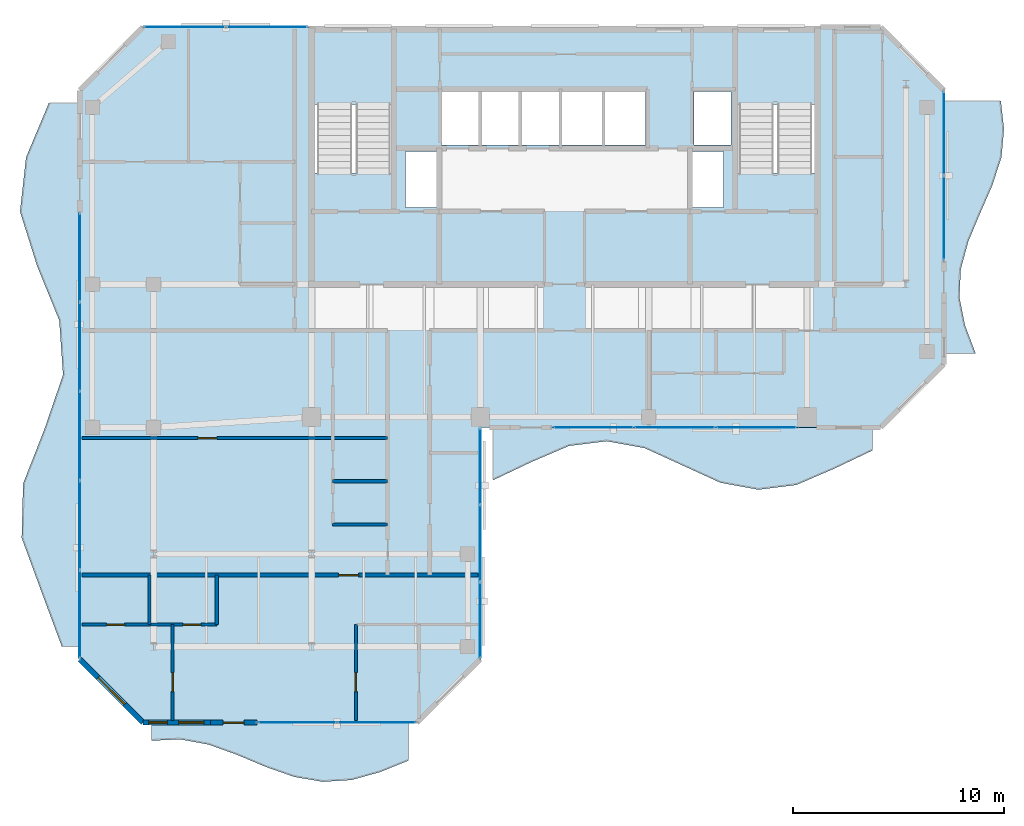
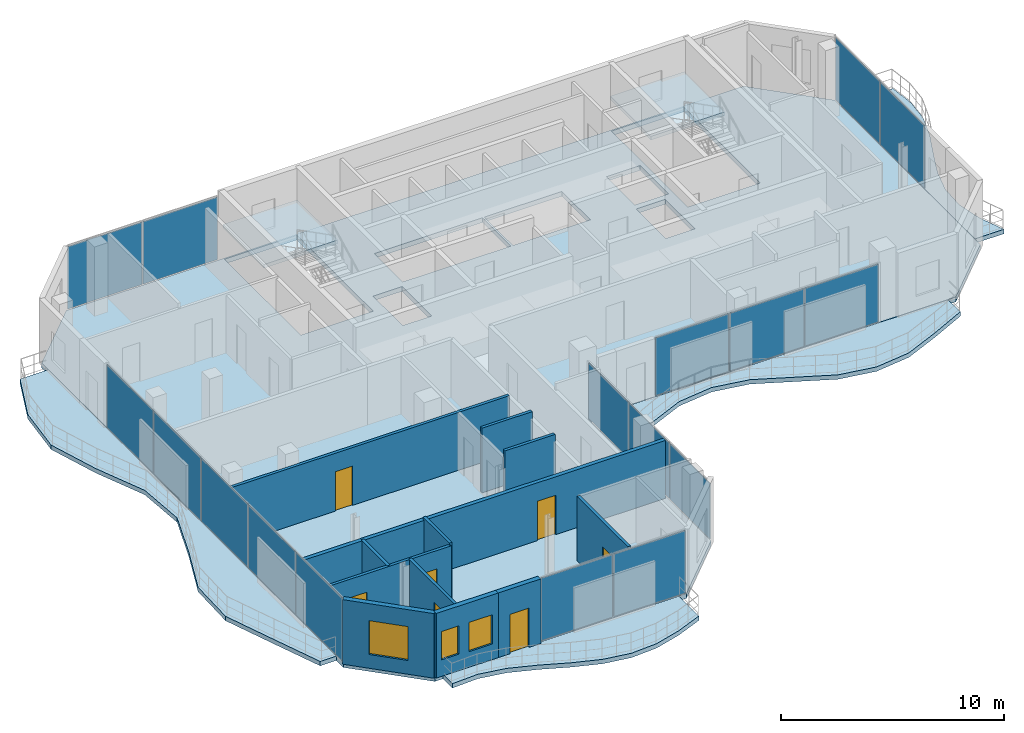
# One storey, part 17 of 23: 17 plates, 12 walls, 7 doors, 7 slabs, 3 windows, 10 openings, 8 elements without a shape of their own.
"""IFC4 building model written with IfcOpenShell, lengths in metres."""

from ifc_helpers import new_model, si_unit, direction, frame, frame_2d, origin, origin_2d, place, context, subcontext, project, spatial, polyline, rectangle, outline, extrude, material, layer, layer_set, type_object, element, fill, aggregate, save


model = new_model("IFC4")

# Units and contexts
model_context = context("Model", 3, precision=1e-05, world=origin(), true_north=direction((0.0, 1.0)))
body_context = subcontext(model_context, "Body", "Model", "MODEL_VIEW")
ifc_project = project(units=[si_unit("LENGTHUNIT", "METRE"), si_unit("AREAUNIT", "SQUARE_METRE"), si_unit("VOLUMEUNIT", "CUBIC_METRE"), si_unit("PLANEANGLEUNIT", "RADIAN"), si_unit("MASSUNIT", "GRAM", prefix="KILO")], contexts=[model_context])

# Site, building, storey
site_placement = place(None, origin())
site = spatial("IfcSite", under=ifc_project, at=site_placement, CompositionType="ELEMENT")
building_placement = place(site_placement, origin())
building = spatial("IfcBuilding", under=site, at=building_placement, Name="Catumbela Crestline Tower", CompositionType="ELEMENT")
storey_placement = place(building_placement, frame((0.0, 0.0, 252.6)))
storey = spatial("IfcBuildingStorey", under=building, at=storey_placement, Name="L65", CompositionType="ELEMENT", Elevation=252.6)

# Curtain wall, plates
ifc_material_1 = material(Name="Aluminium alloy AW-6060-T66", Category="aluminium")
ifc_layer_1 = layer(ifc_material_1, 0.18, Name="Aluminium alloy AW-6060-T66")
ifc_layer_set_1 = layer_set([ifc_layer_1], Name="Aluminium alloy AW-6060-T66")
curtain_wall_type = type_object("IfcCurtainWallType", Name="CWU-Z4", PredefinedType="USERDEFINED", material=ifc_layer_set_1)
curtain_wall_1_placement = place(storey_placement, origin())
curtain_wall_1 = element("IfcCurtainWall", 1, at=curtain_wall_1_placement, inside=storey, type_object=curtain_wall_type, Name="L65 Unitised Curtain Wall CW-L65-E0S2", ObjectType="UNITISED", PredefinedType="USERDEFINED")
ifc_material_2 = material(Name="Low-E laminated solar-control double glazing", Category="glass")
ifc_layer_2 = layer(ifc_material_2, 0.036, Name="Low-E laminated solar-control double glazing")
ifc_layer_set_2 = layer_set([ifc_layer_2], Name="Low-E laminated solar-control double glazing")
plate_type = type_object("IfcPlateType", Name="PNL-GLZ-Z4", PredefinedType="CURTAIN_PANEL", material=ifc_layer_set_2)
plate_1_placement = place(storey_placement, frame((15.3162, 10.0, 0.06), z_axis=(0.0, 0.0, 1.0), x_axis=(1.0, 0.0, 0.0)))
plate_1 = element("IfcPlate", 2, at=plate_1_placement, type_object=plate_type, Name="CWU-Z4 panel 1.1", PredefinedType="CURTAIN_PANEL", context=body_context, shape_type="SweptSolid", body=[
    extrude(rectangle(XDim=3.7025, YDim=0.034, at=origin_2d()), origin(), (0.0, 0.0, 1.0), 3.41),
])
plate_2_placement = place(storey_placement, frame((19.0837, 10.0, 0.06), z_axis=(0.0, 0.0, 1.0), x_axis=(1.0, 0.0, 0.0)))
plate_2 = element("IfcPlate", 3, at=plate_2_placement, type_object=plate_type, Name="CWU-Z4 panel 2.1", PredefinedType="CURTAIN_PANEL", context=body_context, shape_type="SweptSolid", body=[
    extrude(rectangle(XDim=3.7025, YDim=0.034, at=origin_2d()), origin(), (0.0, 0.0, 1.0), 3.41),
])
aggregate(curtain_wall_1, [plate_1, plate_2])

curtain_wall_2_placement = place(storey_placement, origin())
curtain_wall_2 = element("IfcCurtainWall", 4, at=curtain_wall_2_placement, inside=storey, type_object=curtain_wall_type, Name="L65 Unitised Curtain Wall CW-L65-E2S1", ObjectType="UNITISED", PredefinedType="USERDEFINED")
plate_3_placement = place(storey_placement, frame((24.0, 14.8496, 0.06), z_axis=(0.0, 0.0, 1.0), x_axis=(0.0, 1.0, 0.0)))
plate_3 = element("IfcPlate", 5, at=plate_3_placement, type_object=plate_type, Name="CWU-Z4 panel 1.1", PredefinedType="CURTAIN_PANEL", context=body_context, shape_type="SweptSolid", body=[
    extrude(rectangle(XDim=3.5692, YDim=0.034, at=origin_2d()), origin(), (0.0, 0.0, 1.0), 3.04),
])
plate_4_placement = place(storey_placement, frame((24.0, 18.5, 0.06), z_axis=(0.0, 0.0, 1.0), x_axis=(0.0, 1.0, 0.0)))
plate_4 = element("IfcPlate", 6, at=plate_4_placement, type_object=plate_type, Name="CWU-Z4 panel 2.1", PredefinedType="CURTAIN_PANEL", context=body_context, shape_type="SweptSolid", body=[
    extrude(rectangle(XDim=3.6017, YDim=0.034, at=origin_2d()), origin(), (0.0, 0.0, 1.0), 3.04),
])
plate_5_placement = place(storey_placement, frame((24.0, 22.1504, 0.06), z_axis=(0.0, 0.0, 1.0), x_axis=(0.0, 1.0, 0.0)))
plate_5 = element("IfcPlate", 7, at=plate_5_placement, type_object=plate_type, Name="CWU-Z4 panel 3.1", PredefinedType="CURTAIN_PANEL", context=body_context, shape_type="SweptSolid", body=[
    extrude(rectangle(XDim=3.5692, YDim=0.034, at=origin_2d()), origin(), (0.0, 0.0, 1.0), 3.04),
])
aggregate(curtain_wall_2, [plate_3, plate_4, plate_5])

curtain_wall_3_placement = place(storey_placement, origin())
curtain_wall_3 = element("IfcCurtainWall", 8, at=curtain_wall_3_placement, inside=storey, type_object=curtain_wall_type, Name="L65 Unitised Curtain Wall CW-L65-E3S2", ObjectType="UNITISED", PredefinedType="USERDEFINED")
plate_6_placement = place(storey_placement, frame((29.3579, 24.0, 0.06), z_axis=(0.0, 0.0, 1.0), x_axis=(1.0, 0.0, 0.0)))
plate_6 = element("IfcPlate", 9, at=plate_6_placement, type_object=plate_type, Name="CWU-Z4 panel 1.1", PredefinedType="CURTAIN_PANEL", context=body_context, shape_type="SweptSolid", body=[
    extrude(rectangle(XDim=3.7858, YDim=0.034, at=origin_2d()), origin(), (0.0, 0.0, 1.0), 3.15),
])
plate_7_placement = place(storey_placement, frame((33.225, 24.0, 0.06), z_axis=(0.0, 0.0, 1.0), x_axis=(1.0, 0.0, 0.0)))
plate_7 = element("IfcPlate", 10, at=plate_7_placement, type_object=plate_type, Name="CWU-Z4 panel 2.1", PredefinedType="CURTAIN_PANEL", context=body_context, shape_type="SweptSolid", body=[
    extrude(rectangle(XDim=3.8183, YDim=0.034, at=origin_2d()), origin(), (0.0, 0.0, 1.0), 3.15),
])
plate_8_placement = place(storey_placement, frame((37.0921, 24.0, 0.06), z_axis=(0.0, 0.0, 1.0), x_axis=(1.0, 0.0, 0.0)))
plate_8 = element("IfcPlate", 11, at=plate_8_placement, type_object=plate_type, Name="CWU-Z4 panel 3.1", PredefinedType="CURTAIN_PANEL", context=body_context, shape_type="SweptSolid", body=[
    extrude(rectangle(XDim=3.7858, YDim=0.034, at=origin_2d()), origin(), (0.0, 0.0, 1.0), 3.15),
])
aggregate(curtain_wall_3, [plate_6, plate_7, plate_8])

curtain_wall_4_placement = place(storey_placement, origin())
curtain_wall_4 = element("IfcCurtainWall", 12, at=curtain_wall_4_placement, inside=storey, type_object=curtain_wall_type, Name="L65 Unitised Curtain Wall CW-L65-E5S2", ObjectType="UNITISED", PredefinedType="USERDEFINED")
plate_9_placement = place(storey_placement, frame((46.0, 33.9412, 0.06), z_axis=(0.0, 0.0, 1.0), x_axis=(0.0, 1.0, 0.0)))
plate_9 = element("IfcPlate", 13, at=plate_9_placement, type_object=plate_type, Name="CWU-Z4 panel 1.1", PredefinedType="CURTAIN_PANEL", context=body_context, shape_type="SweptSolid", body=[
    extrude(rectangle(XDim=3.9525, YDim=0.034, at=origin_2d()), origin(), (0.0, 0.0, 1.0), 3.41),
])
plate_10_placement = place(storey_placement, frame((46.0, 37.9588, 0.06), z_axis=(0.0, 0.0, 1.0), x_axis=(0.0, 1.0, 0.0)))
plate_10 = element("IfcPlate", 14, at=plate_10_placement, type_object=plate_type, Name="CWU-Z4 panel 2.1", PredefinedType="CURTAIN_PANEL", context=body_context, shape_type="SweptSolid", body=[
    extrude(rectangle(XDim=3.9525, YDim=0.034, at=origin_2d()), origin(), (0.0, 0.0, 1.0), 3.41),
])
aggregate(curtain_wall_4, [plate_9, plate_10])

curtain_wall_5_placement = place(storey_placement, origin())
curtain_wall_5 = element("IfcCurtainWall", 15, at=curtain_wall_5_placement, inside=storey, type_object=curtain_wall_type, Name="L65 Unitised Curtain Wall CW-L65-E7S2", ObjectType="UNITISED", PredefinedType="USERDEFINED")
plate_11_placement = place(storey_placement, frame((13.8788, 43.0, 0.06), z_axis=(0.0, 0.0, 1.0), x_axis=(-1.0, 0.0, 0.0)))
plate_11 = element("IfcPlate", 16, at=plate_11_placement, type_object=plate_type, Name="CWU-Z4 panel 1.1", PredefinedType="CURTAIN_PANEL", context=body_context, shape_type="SweptSolid", body=[
    extrude(rectangle(XDim=3.8325, YDim=0.034, at=origin_2d()), origin(), (0.0, 0.0, 1.0), 3.41),
])
plate_12_placement = place(storey_placement, frame((9.9812, 43.0, 0.06), z_axis=(0.0, 0.0, 1.0), x_axis=(-1.0, 0.0, 0.0)))
plate_12 = element("IfcPlate", 17, at=plate_12_placement, type_object=plate_type, Name="CWU-Z4 panel 2.1", PredefinedType="CURTAIN_PANEL", context=body_context, shape_type="SweptSolid", body=[
    extrude(rectangle(XDim=3.8325, YDim=0.034, at=origin_2d()), origin(), (0.0, 0.0, 1.0), 3.41),
])
aggregate(curtain_wall_5, [plate_11, plate_12])

curtain_wall_6_placement = place(storey_placement, origin())
curtain_wall_6 = element("IfcCurtainWall", 18, at=curtain_wall_6_placement, inside=storey, type_object=curtain_wall_type, Name="L65 Unitised Curtain Wall CW-L65-E9S2", ObjectType="UNITISED", PredefinedType="USERDEFINED")
plate_13_placement = place(storey_placement, frame((5.0, 32.0638, 0.06), z_axis=(0.0, 0.0, 1.0), x_axis=(0.0, -1.0, 0.0)))
plate_13 = element("IfcPlate", 19, at=plate_13_placement, type_object=plate_type, Name="CWU-Z4 panel 1.1", PredefinedType="CURTAIN_PANEL", context=body_context, shape_type="SweptSolid", body=[
    extrude(rectangle(XDim=4.1425, YDim=0.034, at=origin_2d()), origin(), (0.0, 0.0, 1.0), 3.41),
])
plate_14_placement = place(storey_placement, frame((5.0, 27.84, 0.06), z_axis=(0.0, 0.0, 1.0), x_axis=(0.0, -1.0, 0.0)))
plate_14 = element("IfcPlate", 20, at=plate_14_placement, type_object=plate_type, Name="CWU-Z4 panel 2.1", PredefinedType="CURTAIN_PANEL", context=body_context, shape_type="SweptSolid", body=[
    extrude(rectangle(XDim=4.175, YDim=0.034, at=origin_2d()), origin(), (0.0, 0.0, 1.0), 3.41),
])
plate_15_placement = place(storey_placement, frame((5.0, 23.6, 0.06), z_axis=(0.0, 0.0, 1.0), x_axis=(0.0, -1.0, 0.0)))
plate_15 = element("IfcPlate", 21, at=plate_15_placement, type_object=plate_type, Name="CWU-Z4 panel 3.1", PredefinedType="CURTAIN_PANEL", context=body_context, shape_type="SweptSolid", body=[
    extrude(rectangle(XDim=4.175, YDim=0.034, at=origin_2d()), origin(), (0.0, 0.0, 1.0), 3.41),
])
plate_16_placement = place(storey_placement, frame((5.0, 19.36, 0.06), z_axis=(0.0, 0.0, 1.0), x_axis=(0.0, -1.0, 0.0)))
plate_16 = element("IfcPlate", 22, at=plate_16_placement, type_object=plate_type, Name="CWU-Z4 panel 4.1", PredefinedType="CURTAIN_PANEL", context=body_context, shape_type="SweptSolid", body=[
    extrude(rectangle(XDim=4.175, YDim=0.034, at=origin_2d()), origin(), (0.0, 0.0, 1.0), 3.41),
])
plate_17_placement = place(storey_placement, frame((5.0, 15.1362, 0.06), z_axis=(0.0, 0.0, 1.0), x_axis=(0.0, -1.0, 0.0)))
plate_17 = element("IfcPlate", 23, at=plate_17_placement, type_object=plate_type, Name="CWU-Z4 panel 5.1", PredefinedType="CURTAIN_PANEL", context=body_context, shape_type="SweptSolid", body=[
    extrude(rectangle(XDim=4.1425, YDim=0.034, at=origin_2d()), origin(), (0.0, 0.0, 1.0), 3.41),
])
aggregate(curtain_wall_6, [plate_13, plate_14, plate_15, plate_16, plate_17])

# Stair, slab
ifc_material_3 = material(Name="Concrete C45/55", Category="concrete")
stair_type = type_object("IfcStairType", Name="ST-DLG", PredefinedType="HALF_TURN_STAIR", material=ifc_material_3)
stair_1_placement = place(storey_placement, origin())
stair_1 = element("IfcStair", 24, at=stair_1_placement, inside=storey, type_object=stair_type, Name="L65 West Core Pressurised Exit Stair ST-01", PredefinedType="HALF_TURN_STAIR")
ifc_layer_3 = layer(ifc_material_3, 0.2, Name="Concrete C45/55")
ifc_layer_set_3 = layer_set([ifc_layer_3], Name="Concrete C45/55")
slab_type_1 = type_object("IfcSlabType", Name="SL-LND", PredefinedType="LANDING", material=ifc_layer_set_3)
slab_1_placement = place(storey_placement, frame((0.0, 0.0, 1.7)))
slab_1 = element("IfcSlab", 25, at=slab_1_placement, type_object=slab_type_1, Name="ST-01 landing 1", PredefinedType="LANDING", context=body_context, shape_type="SweptSolid", body=[
    extrude(outline(polyline([(19.91, 39.33), (19.91, 42.96), (16.09, 42.96), (16.09, 39.33), (19.91, 39.33)])), origin(), (0.0, 0.0, 1.0), 0.2),
])
aggregate(stair_1, [slab_1])

stair_2_placement = place(storey_placement, origin())
stair_2 = element("IfcStair", 26, at=stair_2_placement, inside=storey, type_object=stair_type, Name="L65 East Core Pressurised Exit Stair ST-02", PredefinedType="HALF_TURN_STAIR")
slab_2_placement = place(storey_placement, frame((0.0, 0.0, 1.7)))
slab_2 = element("IfcSlab", 27, at=slab_2_placement, type_object=slab_type_1, Name="ST-02 landing 1", PredefinedType="LANDING", context=body_context, shape_type="SweptSolid", body=[
    extrude(outline(polyline([(39.91, 39.33), (39.91, 42.96), (36.09, 42.96), (36.09, 39.33), (39.91, 39.33)])), origin(), (0.0, 0.0, 1.0), 0.2),
])
aggregate(stair_2, [slab_2])

# Slabs
ifc_layer_4 = layer(ifc_material_3, 0.26, Name="Concrete C45/55")
ifc_layer_set_4 = layer_set([ifc_layer_4], Name="Concrete C45/55")
slab_type_2 = type_object("IfcSlabType", Name="SL-260", PredefinedType="FLOOR", material=ifc_layer_set_4)
slab_3_placement = place(storey_placement, frame((0.0, 0.0, -0.26)))
element("IfcSlab", 28, at=slab_3_placement, inside=storey, type_object=slab_type_2, Name="L65 Structural Floor Slab", PredefinedType="FLOOR", context=body_context, shape_type="SweptSolid", body=[
    extrude(outline(polyline([(8.0, 10.0), (21.0, 10.0), (24.0, 13.0), (24.0, 24.0), (43.0, 24.0), (46.0, 27.0), (46.0, 40.0), (43.0, 43.0), (8.0, 43.0), (5.0, 40.0), (5.0, 13.0), (8.0, 10.0)]), holes=[polyline([(16.13, 36.08), (19.87, 36.08), (19.87, 42.92), (16.13, 42.92), (16.13, 36.08)]), polyline([(36.13, 36.08), (39.87, 36.08), (39.87, 42.92), (36.13, 42.92), (36.13, 36.08)]), polyline([(22.15, 37.4), (27.75, 37.4), (27.75, 39.95), (22.15, 39.95), (22.15, 37.4)]), polyline([(27.85, 37.4), (31.85, 37.4), (31.85, 39.95), (27.85, 39.95), (27.85, 37.4)]), polyline([(20.45, 34.45), (21.95, 34.45), (21.95, 37.1), (20.45, 37.1), (20.45, 34.45)]), polyline([(34.05, 34.45), (35.55, 34.45), (35.55, 37.1), (34.05, 37.1), (34.05, 34.45)]), polyline([(34.15, 37.4), (35.9, 37.4), (35.9, 39.95), (34.15, 39.95), (34.15, 37.4)])]), origin(), (0.0, 0.0, 1.0), 0.26),
])
ifc_layer_5 = layer(ifc_material_3, 0.24, Name="Concrete C45/55")
ifc_layer_set_5 = layer_set([ifc_layer_5], Name="Concrete C45/55")
slab_type_3 = type_object("IfcSlabType", Name="SB-240W", PredefinedType="USERDEFINED", material=ifc_layer_set_5)
slab_4_placement = place(storey_placement, frame((0.0, 0.0, -0.24)))
element("IfcSlab", 29, at=slab_4_placement, inside=storey, type_object=slab_type_3, Name="L65 Cantilevered Wave Balcony Slab SPINE-S", ObjectType="BALCONY", PredefinedType="USERDEFINED", context=body_context, shape_type="SweptSolid", body=[
    extrude(outline(polyline([(24.6, 21.4947), (26.4, 22.3504), (28.2, 23.1246), (30.0, 23.35), (31.8, 23.0215), (33.6, 22.2), (35.4, 21.3785), (37.2, 21.05), (39.0, 21.2754), (40.8, 22.0496), (42.6, 22.9053), (42.6, 23.99), (24.6, 23.99), (24.6, 21.4947)])), origin(), (0.0, 0.0, 1.0), 0.24),
])
slab_5_placement = place(storey_placement, frame((0.0, 0.0, -0.24)))
element("IfcSlab", 30, at=slab_5_placement, inside=storey, type_object=slab_type_3, Name="L65 Cantilevered Wave Balcony Slab SPINE-E", ObjectType="BALCONY", PredefinedType="USERDEFINED", context=body_context, shape_type="SweptSolid", body=[
    extrude(outline(polyline([(46.01, 27.5), (47.5102, 27.5), (47.0029, 28.8333), (46.7379, 30.1667), (46.7956, 31.5), (47.1586, 32.8333), (47.7165, 34.1667), (48.2998, 35.5), (48.7312, 36.8333), (48.85, 38.1667), (48.6999, 39.5), (46.01, 39.5), (46.01, 27.5)])), origin(), (0.0, 0.0, 1.0), 0.24),
])
slab_6_placement = place(storey_placement, frame((0.0, 0.0, -0.24)))
element("IfcSlab", 31, at=slab_6_placement, inside=storey, type_object=slab_type_3, Name="L65 Cantilevered Wave Balcony Slab WING-S", ObjectType="BALCONY", PredefinedType="USERDEFINED", context=body_context, shape_type="SweptSolid", body=[
    extrude(outline(polyline([(8.4, 9.1398), (9.7556, 9.2055), (11.1111, 8.9556), (12.4667, 8.4686), (13.8222, 7.8973), (15.1778, 7.4209), (16.5333, 7.1891), (17.8889, 7.2746), (19.2444, 7.6504), (20.6, 8.1988), (20.6, 9.99), (8.4, 9.99), (8.4, 9.1398)])), origin(), (0.0, 0.0, 1.0), 0.24),
])
slab_7_placement = place(storey_placement, frame((0.0, 0.0, -0.24)))
element("IfcSlab", 32, at=slab_7_placement, inside=storey, type_object=slab_type_3, Name="L65 Cantilevered Wave Balcony Slab WEST", ObjectType="BALCONY", PredefinedType="USERDEFINED", context=body_context, shape_type="SweptSolid", body=[
    extrude(outline(polyline([(4.99, 39.4), (3.5319, 39.4), (2.4495, 36.82), (2.1615, 34.24), (2.9729, 31.66), (4.0247, 29.08), (4.2035, 26.5), (3.32, 23.92), (2.3095, 21.34), (2.2417, 18.76), (3.1883, 16.18), (4.1473, 13.6), (4.99, 13.6), (4.99, 39.4)])), origin(), (0.0, 0.0, 1.0), 0.24),
])

# Wall, opening, door
ifc_material_4 = material(Name="Angolan grey-ochre granite", Category="masonry")
ifc_layer_6 = layer(ifc_material_4, 0.25, Name="Angolan grey-ochre granite")
ifc_layer_set_6 = layer_set([ifc_layer_6], Name="Angolan grey-ochre granite")
wall_type_1 = type_object("IfcWallType", Name="WE-250", PredefinedType="STANDARD", material=ifc_layer_set_6)
wall_1_placement = place(storey_placement, frame((11.2, 10.0, 0.0), z_axis=(0.0, 0.0, 1.0), x_axis=(1.0, 0.0, 0.0)))
wall_1 = element("IfcWall", 33, at=wall_1_placement, inside=storey, type_object=wall_type_1, Name="L65 Exterior Threshold Portal Wall DR-L65-WBAL-3", PredefinedType="STANDARD", context=body_context, shape_type="SweptSolid", body=[
    extrude(rectangle(XDim=2.2, YDim=0.25, at=frame_2d((1.1, 0.0))), origin(), (0.0, 0.0, 1.0), 3.53),
])
opening_1_placement = place(wall_1_placement, frame((0.6, 0.0, 0.0)))
opening_1 = element("IfcOpeningElement", 34, at=opening_1_placement, cuts=wall_1, Name="Opening DB-L65-3", PredefinedType="OPENING", context=body_context, shape_type="SweptSolid", body=[
    extrude(rectangle(XDim=1.0, YDim=2.15, at=frame_2d((0.5, 1.075))), frame((0.0, 0.135, 0.0), z_axis=(0.0, -1.0, 0.0), x_axis=(1.0, 0.0, 0.0)), (0.0, 0.0, 1.0), 0.27),
])
door_type_1 = type_object("IfcDoorType", Name="DB-1000", OperationType="NOTDEFINED", PredefinedType="DOOR", material=ifc_material_1)
door_1_placement = place(opening_1_placement, origin())
door_1 = element("IfcDoor", 35, at=door_1_placement, inside=storey, type_object=door_type_1, Name="L65 Wave Balcony Terrace Door 3", OperationType="SINGLE_SWING_LEFT", OverallHeight=2.15, OverallWidth=1.0, PredefinedType="DOOR", context=body_context, shape_type="SweptSolid", body=[
    extrude(rectangle(XDim=1.0, YDim=2.15, at=frame_2d((0.5, 1.075))), frame((0.0, 0.025, 0.0), z_axis=(0.0, -1.0, 0.0), x_axis=(1.0, 0.0, 0.0)), (0.0, 0.0, 1.0), 0.05),
])
fill(opening_1, door_1)

# Wall, openings, windows
wall_2_placement = place(storey_placement, frame((8.0, 10.0, 0.0), z_axis=(0.0, 0.0, 1.0), x_axis=(1.0, 0.0, 0.0)))
wall_2 = element("IfcWall", 36, at=wall_2_placement, inside=storey, type_object=wall_type_1, Name="L65 Granite Punched Window Wall 0-1", PredefinedType="STANDARD", context=body_context, shape_type="SweptSolid", body=[
    extrude(rectangle(XDim=3.2, YDim=0.25, at=frame_2d((1.6, 0.0))), origin(), (0.0, 0.0, 1.0), 3.53),
])
opening_2_placement = place(wall_2_placement, frame((0.26, 0.0, 0.9)))
opening_2 = element("IfcOpeningElement", 37, at=opening_2_placement, cuts=wall_2, Name="Opening WN-03", PredefinedType="OPENING", context=body_context, shape_type="SweptSolid", body=[
    extrude(rectangle(XDim=0.9, YDim=1.55, at=frame_2d((0.45, 0.775))), frame((0.0, 0.135, 0.0), z_axis=(0.0, -1.0, 0.0), x_axis=(1.0, 0.0, 0.0)), (0.0, 0.0, 1.0), 0.27),
])
opening_3_placement = place(wall_2_placement, frame((1.69, 0.0, 0.85)))
opening_3 = element("IfcOpeningElement", 38, at=opening_3_placement, cuts=wall_2, Name="Opening WN-02", PredefinedType="OPENING", context=body_context, shape_type="SweptSolid", body=[
    extrude(rectangle(XDim=1.2, YDim=1.6, at=frame_2d((0.6, 0.8))), frame((0.0, 0.135, 0.0), z_axis=(0.0, -1.0, 0.0), x_axis=(1.0, 0.0, 0.0)), (0.0, 0.0, 1.0), 0.27),
])
window_type_1 = type_object("IfcWindowType", Name="WO-0900", PartitioningType="SINGLE_PANEL", PredefinedType="WINDOW", material=ifc_material_2)
window_1_placement = place(opening_2_placement, origin())
window_1 = element("IfcWindow", 39, at=window_1_placement, inside=storey, type_object=window_type_1, Name="L65 Facade Vision Window 493", OverallHeight=1.55, OverallWidth=0.9, PartitioningType="SINGLE_PANEL", PredefinedType="WINDOW", context=body_context, shape_type="SweptSolid", body=[
    extrude(rectangle(XDim=0.9, YDim=1.55, at=frame_2d((0.45, 0.775))), frame((0.0, 0.03, 0.0), z_axis=(0.0, -1.0, 0.0), x_axis=(1.0, 0.0, 0.0)), (0.0, 0.0, 1.0), 0.06),
])
fill(opening_2, window_1)
window_type_2 = type_object("IfcWindowType", Name="WO-1200", PartitioningType="SINGLE_PANEL", PredefinedType="WINDOW", material=ifc_material_2)
window_2_placement = place(opening_3_placement, origin())
window_2 = element("IfcWindow", 40, at=window_2_placement, inside=storey, type_object=window_type_2, Name="L65 Facade Vision Window 494", OverallHeight=1.6, OverallWidth=1.2, PartitioningType="SINGLE_PANEL", PredefinedType="WINDOW", context=body_context, shape_type="SweptSolid", body=[
    extrude(rectangle(XDim=1.2, YDim=1.6, at=frame_2d((0.6, 0.8))), frame((0.0, 0.03, 0.0), z_axis=(0.0, -1.0, 0.0), x_axis=(1.0, 0.0, 0.0)), (0.0, 0.0, 1.0), 0.06),
])
fill(opening_3, window_2)

# Wall, opening, window
wall_3_placement = place(storey_placement, frame((5.0, 13.0, 0.0), z_axis=(0.0, 0.0, 1.0), x_axis=(0.707106781187, -0.707106781187, 0.0)))
wall_3 = element("IfcWall", 41, at=wall_3_placement, inside=storey, type_object=wall_type_1, Name="L65 Granite Punched Window Wall 10-1", PredefinedType="STANDARD", context=body_context, shape_type="SweptSolid", body=[
    extrude(rectangle(XDim=4.2426, YDim=0.25, at=frame_2d((2.1213, 0.0))), origin(), (0.0, 0.0, 1.0), 3.53),
])
opening_4_placement = place(wall_3_placement, frame((1.2213, 0.0, 0.75)))
opening_4 = element("IfcOpeningElement", 42, at=opening_4_placement, cuts=wall_3, Name="Opening WN-01", PredefinedType="OPENING", context=body_context, shape_type="SweptSolid", body=[
    extrude(rectangle(XDim=1.8, YDim=1.85, at=frame_2d((0.9, 0.925))), frame((0.0, 0.135, 0.0), z_axis=(0.0, -1.0, 0.0), x_axis=(1.0, 0.0, 0.0)), (0.0, 0.0, 1.0), 0.27),
])
window_type_3 = type_object("IfcWindowType", Name="WF-1800", PartitioningType="SINGLE_PANEL", PredefinedType="WINDOW", material=ifc_material_2)
window_3_placement = place(opening_4_placement, origin())
window_3 = element("IfcWindow", 43, at=window_3_placement, inside=storey, type_object=window_type_3, Name="L65 Facade Vision Window 503", OverallHeight=1.85, OverallWidth=1.8, PartitioningType="SINGLE_PANEL", PredefinedType="WINDOW", context=body_context, shape_type="SweptSolid", body=[
    extrude(rectangle(XDim=1.8, YDim=1.85, at=frame_2d((0.9, 0.925))), frame((0.0, 0.03, 0.0), z_axis=(0.0, -1.0, 0.0), x_axis=(1.0, 0.0, 0.0)), (0.0, 0.0, 1.0), 0.06),
])
fill(opening_4, window_3)

# Walls
ifc_material_5 = material(Name="Acoustic gypsum and mineral-wool partition")
ifc_layer_7 = layer(ifc_material_5, 0.15, Name="Acoustic gypsum and mineral-wool partition")
ifc_layer_set_7 = layer_set([ifc_layer_7], Name="Acoustic gypsum and mineral-wool partition")
wall_type_2 = type_object("IfcWallType", Name="WP-150", PredefinedType="PARTITIONING", material=ifc_layer_set_7)
for number, where, z_axis, x_axis, name in (
    (44, (17.0, 19.396, 0.0), (0.0, 0.0, 1.0), (1.0, 0.0, 0.0), "L65 Interior Partition PW-L65-WL1-KBS"),
    (45, (17.0, 21.446, 0.0), (0.0, 0.0, 1.0), (1.0, 0.0, 0.0), "L65 Interior Partition PW-L65-WL1-KBM"),
):
    element("IfcWall", number, at=place(storey_placement, frame(where, z_axis=z_axis, x_axis=x_axis)), inside=storey, type_object=wall_type_2, Name=name, PredefinedType="PARTITIONING", context=body_context, shape_type="SweptSolid", body=[
        extrude(rectangle(XDim=2.6, YDim=0.15, at=frame_2d((1.3, 0.0))), origin(), (0.0, 0.0, 1.0), 3.53),
    ])

# Wall, opening, door
wall_4_placement = place(storey_placement, frame((5.1, 23.496, 0.0), z_axis=(0.0, 0.0, 1.0), x_axis=(1.0, 0.0, 0.0)))
wall_4 = element("IfcWall", 46, at=wall_4_placement, inside=storey, type_object=wall_type_2, Name="L65 Interior Partition PW-L65-WL1-KBN", PredefinedType="PARTITIONING", context=body_context, shape_type="SweptSolid", body=[
    extrude(rectangle(XDim=14.5, YDim=0.15, at=frame_2d((7.25, 0.0))), origin(), (0.0, 0.0, 1.0), 3.16),
])
opening_5_placement = place(wall_4_placement, frame((5.5, 0.0, 0.0)))
opening_5 = element("IfcOpeningElement", 47, at=opening_5_placement, cuts=wall_4, Name="Opening DI-090", PredefinedType="OPENING", context=body_context, shape_type="SweptSolid", body=[
    extrude(rectangle(XDim=0.9, YDim=2.15, at=frame_2d((0.45, 1.075))), frame((0.0, 0.085, 0.0), z_axis=(0.0, -1.0, 0.0), x_axis=(1.0, 0.0, 0.0)), (0.0, 0.0, 1.0), 0.17),
])
door_type_2 = type_object("IfcDoorType", Name="DI-090", OperationType="NOTDEFINED", PredefinedType="DOOR", material=ifc_material_1)
door_2_placement = place(opening_5_placement, origin())
door_2 = element("IfcDoor", 48, at=door_2_placement, inside=storey, type_object=door_type_2, Name="L65 Interior Door DR-L65-WL1-BD1", OperationType="SINGLE_SWING_LEFT", OverallHeight=2.15, OverallWidth=0.9, PredefinedType="DOOR", context=body_context, shape_type="SweptSolid", body=[
    extrude(rectangle(XDim=0.9, YDim=2.15, at=frame_2d((0.45, 1.075))), frame((0.0, 0.025, 0.0), z_axis=(0.0, -1.0, 0.0), x_axis=(1.0, 0.0, 0.0)), (0.0, 0.0, 1.0), 0.05),
])
fill(opening_5, door_2)

# Walls
wall_5_placement = place(storey_placement, frame((11.5, 14.65, 0.0), z_axis=(0.0, 0.0, 1.0), x_axis=(0.0, 1.0, 0.0)))
element("IfcWall", 49, at=wall_5_placement, inside=storey, type_object=wall_type_2, Name="L65 Interior Partition PW-L65-SH1-KBE", PredefinedType="PARTITIONING", context=body_context, shape_type="SweptSolid", body=[
    extrude(rectangle(XDim=2.35, YDim=0.15, at=frame_2d((1.175, 0.0))), origin(), (0.0, 0.0, 1.0), 3.28),
])
wall_6_placement = place(storey_placement, frame((8.3, 14.65, 0.0), z_axis=(0.0, 0.0, 1.0), x_axis=(0.0, 1.0, 0.0)))
element("IfcWall", 50, at=wall_6_placement, inside=storey, type_object=wall_type_2, Name="L65 Interior Partition PW-L65-SH1-KBM", PredefinedType="PARTITIONING", context=body_context, shape_type="SweptSolid", body=[
    extrude(rectangle(XDim=2.35, YDim=0.15, at=frame_2d((1.175, 0.0))), origin(), (0.0, 0.0, 1.0), 3.16),
])

# Wall, openings, doors
wall_7_placement = place(storey_placement, frame((5.1, 14.65, 0.0), z_axis=(0.0, 0.0, 1.0), x_axis=(1.0, 0.0, 0.0)))
wall_7 = element("IfcWall", 51, at=wall_7_placement, inside=storey, type_object=wall_type_2, Name="L65 Interior Partition PW-L65-SH1-KBD1", PredefinedType="PARTITIONING", context=body_context, shape_type="SweptSolid", body=[
    extrude(rectangle(XDim=6.4, YDim=0.15, at=frame_2d((3.2, 0.0))), origin(), (0.0, 0.0, 1.0), 3.16),
])
opening_6_placement = place(wall_7_placement, frame((1.175, 0.0, 0.0)))
opening_6 = element("IfcOpeningElement", 52, at=opening_6_placement, cuts=wall_7, Name="Opening DI-085", PredefinedType="OPENING", context=body_context, shape_type="SweptSolid", body=[
    extrude(rectangle(XDim=0.85, YDim=2.15, at=frame_2d((0.425, 1.075))), frame((0.0, 0.085, 0.0), z_axis=(0.0, -1.0, 0.0), x_axis=(1.0, 0.0, 0.0)), (0.0, 0.0, 1.0), 0.17),
])
opening_7_placement = place(wall_7_placement, frame((4.7968, 0.0, 0.0)))
opening_7 = element("IfcOpeningElement", 53, at=opening_7_placement, cuts=wall_7, Name="Opening DI-085", PredefinedType="OPENING", context=body_context, shape_type="SweptSolid", body=[
    extrude(rectangle(XDim=0.85, YDim=2.15, at=frame_2d((0.425, 1.075))), frame((0.0, 0.085, 0.0), z_axis=(0.0, -1.0, 0.0), x_axis=(1.0, 0.0, 0.0)), (0.0, 0.0, 1.0), 0.17),
])
door_type_3 = type_object("IfcDoorType", Name="DI-085", OperationType="NOTDEFINED", PredefinedType="DOOR", material=ifc_material_1)
door_3_placement = place(opening_6_placement, origin())
door_3 = element("IfcDoor", 54, at=door_3_placement, inside=storey, type_object=door_type_3, Name="L65 Interior Door DR-L65-SH1-KIT", OperationType="SINGLE_SWING_LEFT", OverallHeight=2.15, OverallWidth=0.85, PredefinedType="DOOR", context=body_context, shape_type="SweptSolid", body=[
    extrude(rectangle(XDim=0.85, YDim=2.15, at=frame_2d((0.425, 1.075))), frame((0.0, 0.025, 0.0), z_axis=(0.0, -1.0, 0.0), x_axis=(1.0, 0.0, 0.0)), (0.0, 0.0, 1.0), 0.05),
])
fill(opening_6, door_3)
door_4_placement = place(opening_7_placement, origin())
door_4 = element("IfcDoor", 55, at=door_4_placement, inside=storey, type_object=door_type_3, Name="L65 Interior Door DR-L65-SH1-BTH", OperationType="SINGLE_SWING_RIGHT", OverallHeight=2.15, OverallWidth=0.85, PredefinedType="DOOR", context=body_context, shape_type="SweptSolid", body=[
    extrude(rectangle(XDim=0.85, YDim=2.15, at=frame_2d((0.425, 1.075))), frame((0.0, 0.025, 0.0), z_axis=(0.0, -1.0, 0.0), x_axis=(1.0, 0.0, 0.0)), (0.0, 0.0, 1.0), 0.05),
])
fill(opening_7, door_4)

# Wall, opening, door
wall_8_placement = place(storey_placement, frame((9.4, 10.1, 0.0), z_axis=(0.0, 0.0, 1.0), x_axis=(0.0, 1.0, 0.0)))
wall_8 = element("IfcWall", 56, at=wall_8_placement, inside=storey, type_object=wall_type_2, Name="L65 Interior Partition PW-L65-SH1-BDL", PredefinedType="PARTITIONING", context=body_context, shape_type="SweptSolid", body=[
    extrude(rectangle(XDim=4.55, YDim=0.15, at=frame_2d((2.275, 0.0))), origin(), (0.0, 0.0, 1.0), 3.16),
])
opening_8_placement = place(wall_8_placement, frame((1.3648, 0.0, 0.0)))
opening_8 = element("IfcOpeningElement", 57, at=opening_8_placement, cuts=wall_8, Name="Opening DI-090", PredefinedType="OPENING", context=body_context, shape_type="SweptSolid", body=[
    extrude(rectangle(XDim=0.9, YDim=2.15, at=frame_2d((0.45, 1.075))), frame((0.0, 0.085, 0.0), z_axis=(0.0, -1.0, 0.0), x_axis=(1.0, 0.0, 0.0)), (0.0, 0.0, 1.0), 0.17),
])
door_5_placement = place(opening_8_placement, origin())
door_5 = element("IfcDoor", 58, at=door_5_placement, inside=storey, type_object=door_type_2, Name="L65 Interior Door DR-L65-SH1-BD1", OperationType="SINGLE_SWING_LEFT", OverallHeight=2.15, OverallWidth=0.9, PredefinedType="DOOR", context=body_context, shape_type="SweptSolid", body=[
    extrude(rectangle(XDim=0.9, YDim=2.15, at=frame_2d((0.45, 1.075))), frame((0.0, 0.025, 0.0), z_axis=(0.0, -1.0, 0.0), x_axis=(1.0, 0.0, 0.0)), (0.0, 0.0, 1.0), 0.05),
])
fill(opening_8, door_5)

wall_9_placement = place(storey_placement, frame((18.1, 10.1, 0.0), z_axis=(0.0, 0.0, 1.0), x_axis=(0.0, 1.0, 0.0)))
wall_9 = element("IfcWall", 59, at=wall_9_placement, inside=storey, type_object=wall_type_2, Name="L65 Interior Partition PW-L65-SH1-STW", PredefinedType="PARTITIONING", context=body_context, shape_type="SweptSolid", body=[
    extrude(rectangle(XDim=4.55, YDim=0.15, at=frame_2d((2.275, 0.0))), origin(), (0.0, 0.0, 1.0), 3.53),
])
opening_9_placement = place(wall_9_placement, frame((1.3648, 0.0, 0.0)))
opening_9 = element("IfcOpeningElement", 60, at=opening_9_placement, cuts=wall_9, Name="Opening DI-090", PredefinedType="OPENING", context=body_context, shape_type="SweptSolid", body=[
    extrude(rectangle(XDim=0.9, YDim=2.15, at=frame_2d((0.45, 1.075))), frame((0.0, 0.085, 0.0), z_axis=(0.0, -1.0, 0.0), x_axis=(1.0, 0.0, 0.0)), (0.0, 0.0, 1.0), 0.17),
])
door_6_placement = place(opening_9_placement, origin())
door_6 = element("IfcDoor", 61, at=door_6_placement, inside=storey, type_object=door_type_2, Name="L65 Interior Door DR-L65-SH1-STDY", OperationType="SINGLE_SWING_RIGHT", OverallHeight=2.15, OverallWidth=0.9, PredefinedType="DOOR", context=body_context, shape_type="SweptSolid", body=[
    extrude(rectangle(XDim=0.9, YDim=2.15, at=frame_2d((0.45, 1.075))), frame((0.0, 0.025, 0.0), z_axis=(0.0, -1.0, 0.0), x_axis=(1.0, 0.0, 0.0)), (0.0, 0.0, 1.0), 0.05),
])
fill(opening_9, door_6)

ifc_layer_8 = layer(ifc_material_5, 0.2, Name="Acoustic gypsum and mineral-wool partition")
ifc_layer_set_8 = layer_set([ifc_layer_8], Name="Acoustic gypsum and mineral-wool partition")
wall_type_3 = type_object("IfcWallType", Name="WY-200", PredefinedType="PARTITIONING", material=ifc_layer_set_8)
wall_10_placement = place(storey_placement, frame((5.1, 17.0, 0.0), z_axis=(0.0, 0.0, 1.0), x_axis=(1.0, 0.0, 0.0)))
wall_10 = element("IfcWall", 62, at=wall_10_placement, inside=storey, type_object=wall_type_3, Name="L65 Interior Partition PW-L65-SH-WL", PredefinedType="PARTITIONING", context=body_context, shape_type="SweptSolid", body=[
    extrude(rectangle(XDim=18.8, YDim=0.2, at=frame_2d((9.4, 0.0))), origin(), (0.0, 0.0, 1.0), 3.16),
])
opening_10_placement = place(wall_10_placement, frame((12.1791, 0.0, 0.0)))
opening_10 = element("IfcOpeningElement", 63, at=opening_10_placement, cuts=wall_10, Name="Opening DF6-095", PredefinedType="OPENING", context=body_context, shape_type="SweptSolid", body=[
    extrude(rectangle(XDim=0.95, YDim=2.15, at=frame_2d((0.475, 1.075))), frame((0.0, 0.11, 0.0), z_axis=(0.0, -1.0, 0.0), x_axis=(1.0, 0.0, 0.0)), (0.0, 0.0, 1.0), 0.22),
])
door_type_4 = type_object("IfcDoorType", Name="DF6-095", OperationType="NOTDEFINED", PredefinedType="DOOR", material=ifc_material_1)
door_7_placement = place(opening_10_placement, origin())
door_7 = element("IfcDoor", 64, at=door_7_placement, inside=storey, type_object=door_type_4, Name="L65 Interior Door DR-L65-SH1-ENT", OperationType="SINGLE_SWING_RIGHT", OverallHeight=2.15, OverallWidth=0.95, PredefinedType="DOOR", context=body_context, shape_type="SweptSolid", body=[
    extrude(rectangle(XDim=0.95, YDim=2.15, at=frame_2d((0.475, 1.075))), frame((0.0, 0.025, 0.0), z_axis=(0.0, -1.0, 0.0), x_axis=(1.0, 0.0, 0.0)), (0.0, 0.0, 1.0), 0.05),
])
fill(opening_10, door_7)

save(model, "model.ifc")
